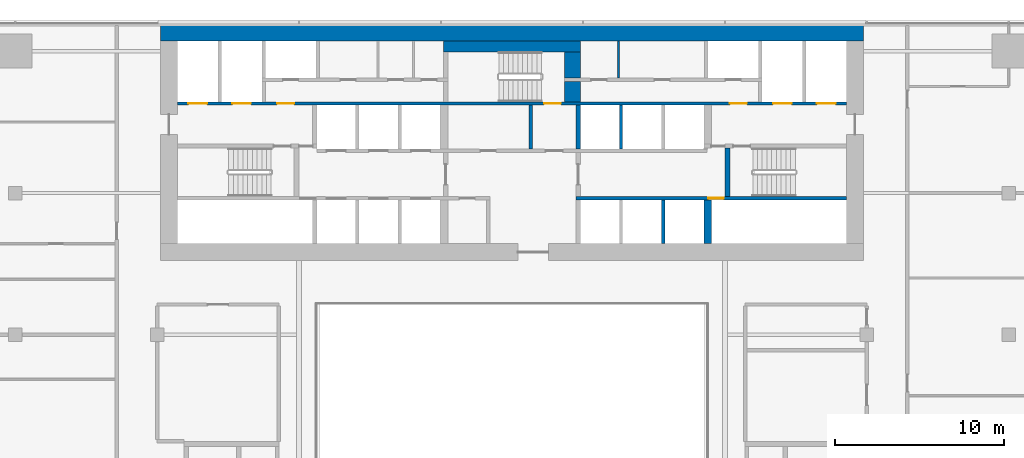
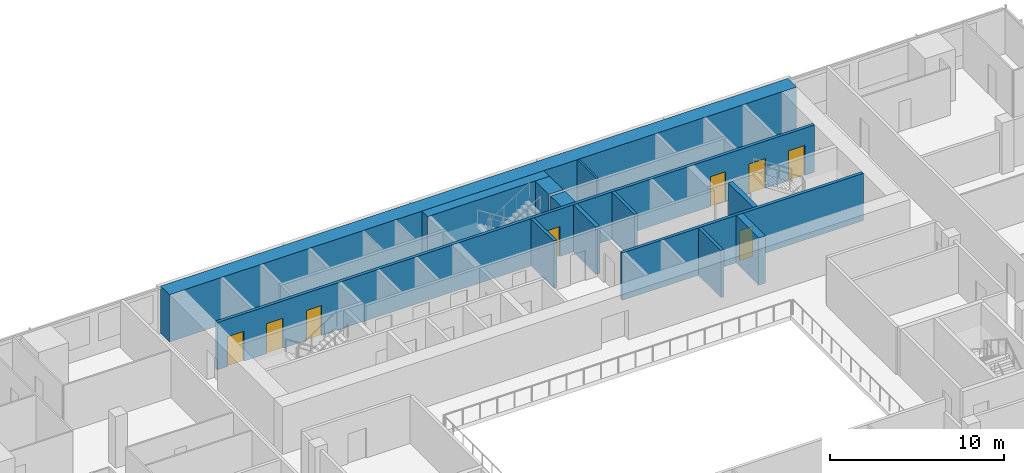
# One storey, part 22 of 29: 13 walls, 8 doors, 8 openings.
"""IFC4 building model written with IfcOpenShell, lengths in metres."""

from ifc_helpers import new_model, si_unit, direction, frame, frame_2d, origin, place, context, subcontext, project, spatial, rectangle, extrude, material, layer, layer_set, type_object, element, fill, save


model = new_model("IFC4")

# Units and contexts
model_context = context("Model", 3, precision=1e-05, world=origin(), true_north=direction((0.0, 1.0)))
body_context = subcontext(model_context, "Body", "Model", "MODEL_VIEW")
ifc_project = project(units=[si_unit("LENGTHUNIT", "METRE"), si_unit("AREAUNIT", "SQUARE_METRE"), si_unit("VOLUMEUNIT", "CUBIC_METRE"), si_unit("PLANEANGLEUNIT", "RADIAN"), si_unit("MASSUNIT", "GRAM", prefix="KILO")], contexts=[model_context])

# Site, building, storey
site_placement = place(None, origin())
site = spatial("IfcSite", under=ifc_project, at=site_placement, CompositionType="ELEMENT")
building_placement = place(site_placement, origin())
building = spatial("IfcBuilding", under=site, at=building_placement, Name="Saffron Gate Tower", CompositionType="ELEMENT")
storey_placement = place(building_placement, frame((0.0, 0.0, 113.25)))
storey = spatial("IfcBuildingStorey", under=building, at=storey_placement, Name="L26", CompositionType="ELEMENT", Elevation=113.25)

# Walls
ifc_material_1 = material(Name="Gypsum board partition on steel studs", Category="steel")
ifc_layer_1 = layer(ifc_material_1, 0.199951171875)
ifc_layer_set_1 = layer_set([ifc_layer_1], Name="CW10 Core partition 200")
wall_type_1 = type_object("IfcWallType", Name="CW10 Core partition 200", PredefinedType="PARTITIONING", material=ifc_layer_set_1)
wall_1_placement = place(storey_placement, frame((88.699951171875, 68.0, 0.0), z_axis=(0.0, 0.0, 1.0), x_axis=(0.0, 1.0, 0.0)))
element("IfcWall", 1, at=wall_1_placement, inside=storey, type_object=wall_type_1, Name="Wall CW10-L26-24", PredefinedType="PARTITIONING", context=body_context, shape_type="SweptSolid", body=[
    extrude(rectangle(XDim=2.60009765625, YDim=0.199951171875, at=frame_2d((1.300048828125, 0.0))), origin(), (0.0, 0.0, 1.0), 3.320068359375),
])
ifc_material_2 = material(Name="Concrete C70", Category="concrete")
ifc_layer_2 = layer(ifc_material_2, 1.0)
ifc_layer_set_2 = layer_set([ifc_layer_2], Name="CW12 RC core wall 1000 C70")
wall_type_2 = type_object("IfcWallType", Name="CW12 RC core wall 1000 C70", PredefinedType="SOLIDWALL", material=ifc_layer_set_2)
wall_2_placement = place(storey_placement, frame((66.800048828125, 74.89990234375, 0.0), z_axis=(0.0, 0.0, 1.0), x_axis=(1.0, 0.0, 0.0)))
element("IfcWall", 2, at=wall_2_placement, inside=storey, type_object=wall_type_2, Name="Wall CW12-L26-2", PredefinedType="SOLIDWALL", context=body_context, shape_type="SweptSolid", body=[
    extrude(rectangle(XDim=41.599853515625, YDim=1.0, at=frame_2d((20.7998046875, 0.0))), origin(), (0.0, 0.0, 1.0), 3.320068359375),
])
ifc_layer_3 = layer(ifc_material_2, 0.25)
ifc_layer_set_3 = layer_set([ifc_layer_3], Name="CW2 RC core wall 250 C70")
wall_type_3 = type_object("IfcWallType", Name="CW2 RC core wall 250 C70", PredefinedType="SOLIDWALL", material=ifc_layer_set_3)
wall_3_placement = place(storey_placement, frame((91.52490234375, 68.0, 0.0), z_axis=(0.0, 0.0, 1.0), x_axis=(0.0, 1.0, 0.0)))
element("IfcWall", 3, at=wall_3_placement, inside=storey, type_object=wall_type_3, Name="Wall CW2-L26-25", PredefinedType="SOLIDWALL", context=body_context, shape_type="SweptSolid", body=[
    extrude(rectangle(XDim=2.60009765625, YDim=0.25, at=frame_2d((1.300048828125, 0.0))), origin(), (0.0, 0.0, 1.0), 3.320068359375),
])
ifc_layer_4 = layer(ifc_material_2, 0.199951171875)
ifc_layer_set_4 = layer_set([ifc_layer_4], Name="CW3 RC core wall 200 C70")
wall_type_4 = type_object("IfcWallType", Name="CW3 RC core wall 200 C70", PredefinedType="SOLIDWALL", material=ifc_layer_set_4)
wall_4_placement = place(storey_placement, frame((96.550048828125, 62.39990234375, 0.0), z_axis=(0.0, 0.0, 1.0), x_axis=(0.0, 1.0, 0.0)))
element("IfcWall", 4, at=wall_4_placement, inside=storey, type_object=wall_type_4, Name="Wall CW3-L26-12", PredefinedType="SOLIDWALL", context=body_context, shape_type="SweptSolid", body=[
    extrude(rectangle(XDim=2.60009765625, YDim=0.199951171875, at=frame_2d((1.300048828125, 0.0))), origin(), (0.0, 0.0, 1.0), 3.320068359375),
])

# Wall, opening, door
wall_5_placement = place(storey_placement, frame((91.39990234375, 65.10009765625, 0.0), z_axis=(0.0, 0.0, 1.0), x_axis=(1.0, 0.0, 0.0)))
wall_5 = element("IfcWall", 5, at=wall_5_placement, inside=storey, type_object=wall_type_4, Name="Wall CW3-L26-15", PredefinedType="SOLIDWALL", context=body_context, shape_type="SweptSolid", body=[
    extrude(rectangle(XDim=16.0, YDim=0.199951171875, at=frame_2d((8.0, 0.0))), origin(), (0.0, 0.0, 1.0), 3.320068359375),
])
opening_1_placement = place(wall_5_placement, frame((7.830078125, 0.0, 0.0)))
opening_1 = element("IfcOpeningElement", 6, at=opening_1_placement, cuts=wall_5, Name="Opening CR-48", PredefinedType="OPENING", context=body_context, shape_type="SweptSolid", body=[
    extrude(rectangle(XDim=0.89990234375, YDim=2.10009765625, at=frame_2d((0.449951171875, 1.050048828125))), frame((0.0, 0.10986328125, 0.0), z_axis=(0.0, -1.0, 0.0), x_axis=(1.0, 0.0, 0.0)), (0.0, 0.0, 1.0), 0.219970703125),
])
ifc_material_3 = material(Name="Steel fire door set", Category="steel")
door_type_1 = type_object("IfcDoorType", Name="CD2 Riser door 900x2100 EI 60", OperationType="NOTDEFINED", PredefinedType="DOOR", material=ifc_material_3)
door_1_placement = place(opening_1_placement, origin())
door_1 = element("IfcDoor", 7, at=door_1_placement, inside=storey, type_object=door_type_1, Name="DOOR CR-48", OperationType="SINGLE_SWING_RIGHT", OverallHeight=2.10009765625, OverallWidth=0.89990234375, PredefinedType="DOOR", context=body_context, shape_type="SweptSolid", body=[
    extrude(rectangle(XDim=0.89990234375, YDim=2.10009765625, at=frame_2d((0.449951171875, 1.050048828125))), frame((0.0, 0.02490234375, 0.0), z_axis=(0.0, -1.0, 0.0), x_axis=(1.0, 0.0, 0.0)), (0.0, 0.0, 1.0), 0.050048828125),
])
fill(opening_1, door_1)

# Wall
wall_6_placement = place(storey_placement, frame((94.050048828125, 68.0, 0.0), z_axis=(0.0, 0.0, 1.0), x_axis=(0.0, 1.0, 0.0)))
element("IfcWall", 8, at=wall_6_placement, inside=storey, type_object=wall_type_4, Name="Wall CW3-L26-26", PredefinedType="SOLIDWALL", context=body_context, shape_type="SweptSolid", body=[
    extrude(rectangle(XDim=2.60009765625, YDim=0.199951171875, at=frame_2d((1.300048828125, 0.0))), origin(), (0.0, 0.0, 1.0), 3.320068359375),
])

# Wall, openings, doors
wall_7_placement = place(storey_placement, frame((67.800048828125, 70.699951171875, 0.0), z_axis=(0.0, 0.0, 1.0), x_axis=(1.0, 0.0, 0.0)))
wall_7 = element("IfcWall", 9, at=wall_7_placement, inside=storey, type_object=wall_type_4, Name="Wall CW3-L26-33", PredefinedType="SOLIDWALL", context=body_context, shape_type="SweptSolid", body=[
    extrude(rectangle(XDim=39.599853515625, YDim=0.199951171875, at=frame_2d((19.7998046875, 0.0))), origin(), (0.0, 0.0, 1.0), 3.320068359375),
])
opening_2_placement = place(wall_7_placement, frame((0.64990234375, 0.0, 0.0)))
opening_2 = element("IfcOpeningElement", 10, at=opening_2_placement, cuts=wall_7, Name="Opening LD-FF1", PredefinedType="OPENING", context=body_context, shape_type="SweptSolid", body=[
    extrude(rectangle(XDim=1.10009765625, YDim=2.10009765625, at=frame_2d((0.550048828125, 1.050048828125))), frame((0.0, 0.10986328125, 0.0), z_axis=(0.0, -1.0, 0.0), x_axis=(1.0, 0.0, 0.0)), (0.0, 0.0, 1.0), 0.219970703125),
])
opening_3_placement = place(wall_7_placement, frame((3.25, 0.0, 0.0)))
opening_3 = element("IfcOpeningElement", 11, at=opening_3_placement, cuts=wall_7, Name="Opening LD-SV1", PredefinedType="OPENING", context=body_context, shape_type="SweptSolid", body=[
    extrude(rectangle(XDim=1.10009765625, YDim=2.10009765625, at=frame_2d((0.550048828125, 1.050048828125))), frame((0.0, 0.10986328125, 0.0), z_axis=(0.0, -1.0, 0.0), x_axis=(1.0, 0.0, 0.0)), (0.0, 0.0, 1.0), 0.219970703125),
])
opening_4_placement = place(wall_7_placement, frame((5.89990234375, 0.0, 0.0)))
opening_4 = element("IfcOpeningElement", 12, at=opening_4_placement, cuts=wall_7, Name="Opening CR-03", PredefinedType="OPENING", context=body_context, shape_type="SweptSolid", body=[
    extrude(rectangle(XDim=1.0, YDim=2.10009765625, at=frame_2d((0.5, 1.050048828125))), frame((0.0, 0.10986328125, 0.0), z_axis=(0.0, -1.0, 0.0), x_axis=(1.0, 0.0, 0.0)), (0.0, 0.0, 1.0), 0.219970703125),
])
opening_5_placement = place(wall_7_placement, frame((21.699951171875, 0.0, 0.0)))
opening_5 = element("IfcOpeningElement", 13, at=opening_5_placement, cuts=wall_7, Name="Opening CR-17", PredefinedType="OPENING", context=body_context, shape_type="SweptSolid", body=[
    extrude(rectangle(XDim=1.0, YDim=2.10009765625, at=frame_2d((0.5, 1.050048828125))), frame((0.0, 0.10986328125, 0.0), z_axis=(0.0, -1.0, 0.0), x_axis=(1.0, 0.0, 0.0)), (0.0, 0.0, 1.0), 0.219970703125),
])
opening_6_placement = place(wall_7_placement, frame((32.699951171875, 0.0, 0.0)))
opening_6 = element("IfcOpeningElement", 14, at=opening_6_placement, cuts=wall_7, Name="Opening CR-04", PredefinedType="OPENING", context=body_context, shape_type="SweptSolid", body=[
    extrude(rectangle(XDim=1.0, YDim=2.10009765625, at=frame_2d((0.5, 1.050048828125))), frame((0.0, 0.10986328125, 0.0), z_axis=(0.0, -1.0, 0.0), x_axis=(1.0, 0.0, 0.0)), (0.0, 0.0, 1.0), 0.219970703125),
])
opening_7_placement = place(wall_7_placement, frame((35.25, 0.0, 0.0)))
opening_7 = element("IfcOpeningElement", 15, at=opening_7_placement, cuts=wall_7, Name="Opening LD-SV2", PredefinedType="OPENING", context=body_context, shape_type="SweptSolid", body=[
    extrude(rectangle(XDim=1.10009765625, YDim=2.10009765625, at=frame_2d((0.550048828125, 1.050048828125))), frame((0.0, 0.10986328125, 0.0), z_axis=(0.0, -1.0, 0.0), x_axis=(1.0, 0.0, 0.0)), (0.0, 0.0, 1.0), 0.219970703125),
])
opening_8_placement = place(wall_7_placement, frame((37.85009765625, 0.0, 0.0)))
opening_8 = element("IfcOpeningElement", 16, at=opening_8_placement, cuts=wall_7, Name="Opening LD-FF2", PredefinedType="OPENING", context=body_context, shape_type="SweptSolid", body=[
    extrude(rectangle(XDim=1.10009765625, YDim=2.10009765625, at=frame_2d((0.550048828125, 1.050048828125))), frame((0.0, 0.10986328125, 0.0), z_axis=(0.0, -1.0, 0.0), x_axis=(1.0, 0.0, 0.0)), (0.0, 0.0, 1.0), 0.219970703125),
])
door_type_2 = type_object("IfcDoorType", Name="CD4 Lobby door 1000x2100 EI 120", OperationType="NOTDEFINED", PredefinedType="DOOR", material=ifc_material_3)
door_2_placement = place(opening_4_placement, origin())
door_2 = element("IfcDoor", 17, at=door_2_placement, inside=storey, type_object=door_type_2, Name="DOOR CR-03", OperationType="SINGLE_SWING_LEFT", OverallHeight=2.10009765625, OverallWidth=1.0, PredefinedType="DOOR", context=body_context, shape_type="SweptSolid", body=[
    extrude(rectangle(XDim=1.0, YDim=2.10009765625, at=frame_2d((0.5, 1.050048828125))), frame((0.0, 0.02490234375, 0.0), z_axis=(0.0, -1.0, 0.0), x_axis=(1.0, 0.0, 0.0)), (0.0, 0.0, 1.0), 0.050048828125),
])
fill(opening_4, door_2)
door_3_placement = place(opening_6_placement, origin())
door_3 = element("IfcDoor", 18, at=door_3_placement, inside=storey, type_object=door_type_2, Name="DOOR CR-04", OperationType="SINGLE_SWING_RIGHT", OverallHeight=2.10009765625, OverallWidth=1.0, PredefinedType="DOOR", context=body_context, shape_type="SweptSolid", body=[
    extrude(rectangle(XDim=1.0, YDim=2.10009765625, at=frame_2d((0.5, 1.050048828125))), frame((0.0, 0.02490234375, 0.0), z_axis=(0.0, -1.0, 0.0), x_axis=(1.0, 0.0, 0.0)), (0.0, 0.0, 1.0), 0.050048828125),
])
fill(opening_6, door_3)
door_type_3 = type_object("IfcDoorType", Name="CD5 Stair door 1000x2100 EI 120", OperationType="NOTDEFINED", PredefinedType="DOOR", material=ifc_material_3)
door_4_placement = place(opening_5_placement, origin())
door_4 = element("IfcDoor", 19, at=door_4_placement, inside=storey, type_object=door_type_3, Name="DOOR CR-17", OperationType="SINGLE_SWING_RIGHT", OverallHeight=2.10009765625, OverallWidth=1.0, PredefinedType="DOOR", context=body_context, shape_type="SweptSolid", body=[
    extrude(rectangle(XDim=1.0, YDim=2.10009765625, at=frame_2d((0.5, 1.050048828125))), frame((0.0, 0.02490234375, 0.0), z_axis=(0.0, -1.0, 0.0), x_axis=(1.0, 0.0, 0.0)), (0.0, 0.0, 1.0), 0.050048828125),
])
fill(opening_5, door_4)
ifc_material_4 = material(Name="Stainless steel landing door", Category="steel")
door_type_4 = type_object("IfcDoorType", Name="LD Lift landing door 1100x2100 EI 120", OperationType="SLIDING_TO_LEFT", PredefinedType="DOOR", material=ifc_material_4)
door_5_placement = place(opening_2_placement, origin())
door_5 = element("IfcDoor", 20, at=door_5_placement, inside=storey, type_object=door_type_4, Name="LANDING DOOR LD-FF1", OperationType="SLIDING_TO_RIGHT", OverallHeight=2.10009765625, OverallWidth=1.10009765625, PredefinedType="DOOR", context=body_context, shape_type="SweptSolid", body=[
    extrude(rectangle(XDim=1.10009765625, YDim=2.10009765625, at=frame_2d((0.550048828125, 1.050048828125))), frame((0.0, 0.02490234375, 0.0), z_axis=(0.0, -1.0, 0.0), x_axis=(1.0, 0.0, 0.0)), (0.0, 0.0, 1.0), 0.050048828125),
])
fill(opening_2, door_5)
door_6_placement = place(opening_3_placement, origin())
door_6 = element("IfcDoor", 21, at=door_6_placement, inside=storey, type_object=door_type_4, Name="LANDING DOOR LD-SV1", OperationType="SLIDING_TO_RIGHT", OverallHeight=2.10009765625, OverallWidth=1.10009765625, PredefinedType="DOOR", context=body_context, shape_type="SweptSolid", body=[
    extrude(rectangle(XDim=1.10009765625, YDim=2.10009765625, at=frame_2d((0.550048828125, 1.050048828125))), frame((0.0, 0.02490234375, 0.0), z_axis=(0.0, -1.0, 0.0), x_axis=(1.0, 0.0, 0.0)), (0.0, 0.0, 1.0), 0.050048828125),
])
fill(opening_3, door_6)
door_7_placement = place(opening_7_placement, origin())
door_7 = element("IfcDoor", 22, at=door_7_placement, inside=storey, type_object=door_type_4, Name="LANDING DOOR LD-SV2", OperationType="SLIDING_TO_RIGHT", OverallHeight=2.10009765625, OverallWidth=1.10009765625, PredefinedType="DOOR", context=body_context, shape_type="SweptSolid", body=[
    extrude(rectangle(XDim=1.10009765625, YDim=2.10009765625, at=frame_2d((0.550048828125, 1.050048828125))), frame((0.0, 0.02490234375, 0.0), z_axis=(0.0, -1.0, 0.0), x_axis=(1.0, 0.0, 0.0)), (0.0, 0.0, 1.0), 0.050048828125),
])
fill(opening_7, door_7)
door_8_placement = place(opening_8_placement, origin())
door_8 = element("IfcDoor", 23, at=door_8_placement, inside=storey, type_object=door_type_4, Name="LANDING DOOR LD-FF2", OperationType="SLIDING_TO_RIGHT", OverallHeight=2.10009765625, OverallWidth=1.10009765625, PredefinedType="DOOR", context=body_context, shape_type="SweptSolid", body=[
    extrude(rectangle(XDim=1.10009765625, YDim=2.10009765625, at=frame_2d((0.550048828125, 1.050048828125))), frame((0.0, 0.02490234375, 0.0), z_axis=(0.0, -1.0, 0.0), x_axis=(1.0, 0.0, 0.0)), (0.0, 0.0, 1.0), 0.050048828125),
])
fill(opening_8, door_8)

# Walls
ifc_layer_5 = layer(ifc_material_2, 0.449951171875)
ifc_layer_set_5 = layer_set([ifc_layer_5], Name="CW4 RC core wall 450 C70")
wall_type_5 = type_object("IfcWallType", Name="CW4 RC core wall 450 C70", PredefinedType="SOLIDWALL", material=ifc_layer_set_5)
wall_8_placement = place(storey_placement, frame((99.175048828125, 62.39990234375, 0.0), z_axis=(0.0, 0.0, 1.0), x_axis=(0.0, 1.0, 0.0)))
element("IfcWall", 24, at=wall_8_placement, inside=storey, type_object=wall_type_5, Name="Wall CW4-L26-13", PredefinedType="SOLIDWALL", context=body_context, shape_type="SweptSolid", body=[
    extrude(rectangle(XDim=2.60009765625, YDim=0.449951171875, at=frame_2d((1.300048828125, 0.0))), origin(), (0.0, 0.0, 1.0), 3.320068359375),
])
ifc_layer_6 = layer(ifc_material_2, 0.300048828125)
ifc_layer_set_6 = layer_set([ifc_layer_6], Name="CW5 RC core wall 300 C70")
wall_type_6 = type_object("IfcWallType", Name="CW5 RC core wall 300 C70", PredefinedType="SOLIDWALL", material=ifc_layer_set_6)
wall_9_placement = place(storey_placement, frame((100.35009765625, 65.199951171875, 0.0), z_axis=(0.0, 0.0, 1.0), x_axis=(0.0, 1.0, 0.0)))
element("IfcWall", 25, at=wall_9_placement, inside=storey, type_object=wall_type_6, Name="Wall CW5-L26-19", PredefinedType="SOLIDWALL", context=body_context, shape_type="SweptSolid", body=[
    extrude(rectangle(XDim=2.85009765625, YDim=0.300048828125, at=frame_2d((1.425048828125, 0.0))), origin(), (0.0, 0.0, 1.0), 3.320068359375),
])
ifc_layer_7 = layer(ifc_material_2, 0.949951171875)
ifc_layer_set_7 = layer_set([ifc_layer_7], Name="CW7 RC core wall 950 C70")
wall_type_7 = type_object("IfcWallType", Name="CW7 RC core wall 950 C70", PredefinedType="SOLIDWALL", material=ifc_layer_set_7)
wall_10_placement = place(storey_placement, frame((91.175048828125, 70.800048828125, 0.0), z_axis=(0.0, 0.0, 1.0), x_axis=(0.0, 1.0, 0.0)))
element("IfcWall", 26, at=wall_10_placement, inside=storey, type_object=wall_type_7, Name="Wall CW7-L26-37", PredefinedType="SOLIDWALL", context=body_context, shape_type="SweptSolid", body=[
    extrude(rectangle(XDim=1.199951171875, YDim=0.949951171875, at=frame_2d((0.60009765625, 0.0))), origin(), (0.0, 0.0, 1.0), 3.320068359375),
])
wall_11_placement = place(storey_placement, frame((91.175048828125, 72.199951171875, 0.0), z_axis=(0.0, 0.0, 1.0), x_axis=(0.0, 1.0, 0.0)))
element("IfcWall", 27, at=wall_11_placement, inside=storey, type_object=wall_type_7, Name="Wall CW7-L26-47", PredefinedType="SOLIDWALL", context=body_context, shape_type="SweptSolid", body=[
    extrude(rectangle(XDim=1.550048828125, YDim=0.949951171875, at=frame_2d((0.77490234375, 0.0))), origin(), (0.0, 0.0, 1.0), 3.320068359375),
])
ifc_layer_8 = layer(ifc_material_1, 0.1201171875)
ifc_layer_set_8 = layer_set([ifc_layer_8], Name="CW8 Core partition 120")
wall_type_8 = type_object("IfcWallType", Name="CW8 Core partition 120", PredefinedType="PARTITIONING", material=ifc_layer_set_8)
wall_12_placement = place(storey_placement, frame((93.909912109375, 72.199951171875, 0.0), z_axis=(0.0, 0.0, 1.0), x_axis=(0.0, 1.0, 0.0)))
element("IfcWall", 28, at=wall_12_placement, inside=storey, type_object=wall_type_8, Name="Wall CW8-L26-48", PredefinedType="PARTITIONING", context=body_context, shape_type="SweptSolid", body=[
    extrude(rectangle(XDim=2.199951171875, YDim=0.1201171875, at=frame_2d((1.10009765625, 0.0))), origin(), (0.0, 0.0, 1.0), 3.320068359375),
])
ifc_layer_9 = layer(ifc_material_2, 0.64990234375)
ifc_layer_set_9 = layer_set([ifc_layer_9], Name="CW9 RC core wall 650 C70")
wall_type_9 = type_object("IfcWallType", Name="CW9 RC core wall 650 C70", PredefinedType="SOLIDWALL", material=ifc_layer_set_9)
wall_13_placement = place(storey_placement, frame((83.550048828125, 74.074951171875, 0.0), z_axis=(0.0, 0.0, 1.0), x_axis=(1.0, 0.0, 0.0)))
element("IfcWall", 29, at=wall_13_placement, inside=storey, type_object=wall_type_9, Name="Wall CW9-L26-51", PredefinedType="SOLIDWALL", context=body_context, shape_type="SweptSolid", body=[
    extrude(rectangle(XDim=8.099853515625, YDim=0.64990234375, at=frame_2d((4.0498046875, 0.0))), origin(), (0.0, 0.0, 1.0), 3.320068359375),
])

save(model, "model.ifc")
